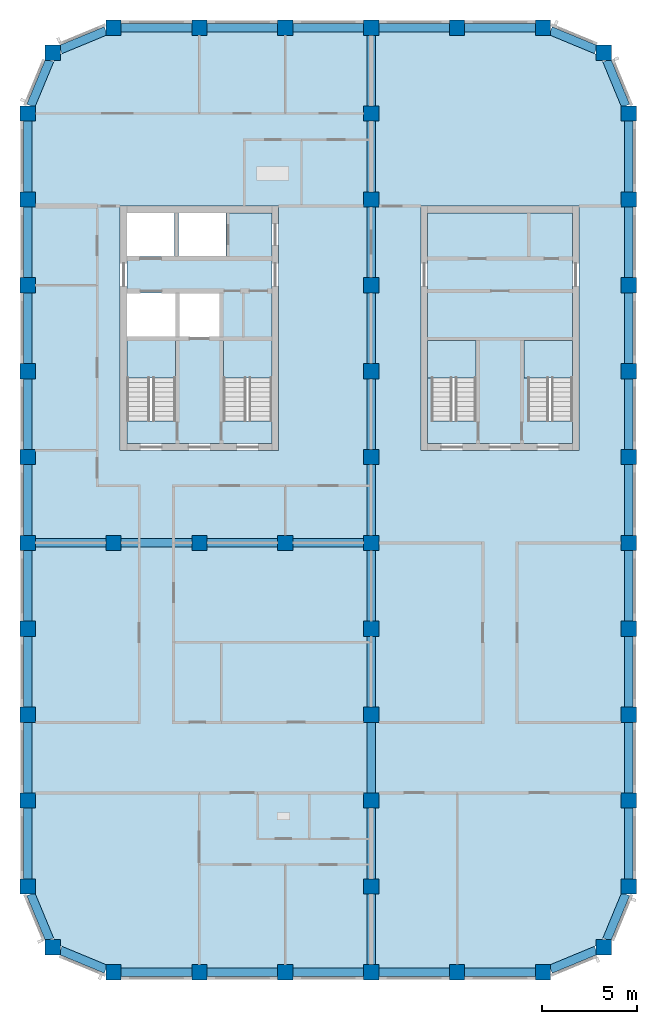
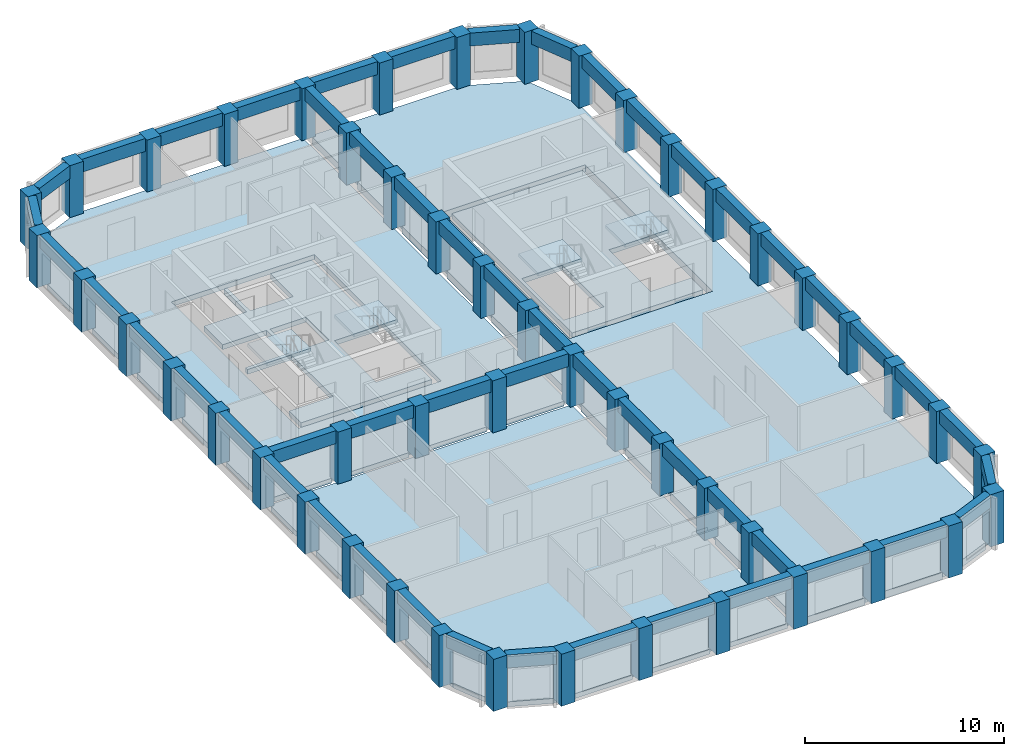
# One storey, part 1 of 9: 51 beams, 49 columns, 9 slabs, 4 elements without a shape of their own.
"""IFC4 building model written with IfcOpenShell, lengths in metres."""

from ifc_helpers import new_model, si_unit, direction, frame, origin, origin_2d, place, context, subcontext, project, spatial, polyline, rectangle, outline, extrude, material, layer, layer_set, material_profile, profile_set, type_object, element, aggregate, save


model = new_model("IFC4")

# Units and contexts
model_context = context("Model", 3, precision=1e-05, world=origin(), true_north=direction((0.0, 1.0)))
body_context = subcontext(model_context, "Body", "Model", "MODEL_VIEW")
ifc_project = project(units=[si_unit("LENGTHUNIT", "METRE"), si_unit("AREAUNIT", "SQUARE_METRE"), si_unit("VOLUMEUNIT", "CUBIC_METRE"), si_unit("PLANEANGLEUNIT", "RADIAN"), si_unit("MASSUNIT", "GRAM", prefix="KILO")], contexts=[model_context])

# Site, building, storey
site_placement = place(None, origin())
site = spatial("IfcSite", under=ifc_project, at=site_placement, CompositionType="ELEMENT")
building_placement = place(site_placement, origin())
building = spatial("IfcBuilding", under=site, at=building_placement, Name="Girih Gate Residences", CompositionType="ELEMENT")
storey_placement = place(building_placement, frame((0.0, 0.0, 185.89990234375)))
storey = spatial("IfcBuildingStorey", under=building, at=storey_placement, Name="L51", CompositionType="ELEMENT", Elevation=185.89990234375)

# Columns
ifc_material_1 = material(Name="Concrete C60/75", Category="concrete")
ifc_material_profile_1 = material_profile(ifc_material_1, rectangle(XDim=0.800048828125, YDim=0.800048828125, at=origin_2d()))
ifc_profile_set_1 = profile_set([ifc_material_profile_1], Name="Concrete C60/75")
column_type = type_object("IfcColumnType", Name="Pier RC 800x800 Concrete C60/75", PredefinedType="COLUMN", material=ifc_profile_set_1)
for number, where, z_axis, x_axis, name in (
    (1, (4.5, 0.0, 0.0), (0.0, 0.0, 1.0), (1.0, 0.0, 0.0), "Pier P2A L51"),
    (2, (9.0, 0.0, 0.0), (0.0, 0.0, 1.0), (1.0, 0.0, 0.0), "Pier P3A L51"),
    (3, (13.5, 0.0, 0.0), (0.0, 0.0, 1.0), (1.0, 0.0, 0.0), "Pier P4A L51"),
    (4, (18.0, 0.0, 0.0), (0.0, 0.0, 1.0), (1.0, 0.0, 0.0), "Pier P5A L51"),
    (5, (22.5, 0.0, 0.0), (0.0, 0.0, 1.0), (1.0, 0.0, 0.0), "Pier P6A L51"),
    (6, (27.0, 0.0, 0.0), (0.0, 0.0, 1.0), (1.0, 0.0, 0.0), "Pier P7A L51"),
    (7, (1.318115234375, 1.318115234375, 0.0), (0.0, 0.0, 1.0), (1.0, 0.0, 0.0), "Pier P1ANE L51"),
    (8, (30.181884765625, 1.318115234375, 0.0), (0.0, 0.0, 1.0), (1.0, 0.0, 0.0), "Pier P8ANW L51"),
    (9, (0.0, 4.5, 0.0), (0.0, 0.0, 1.0), (1.0, 0.0, 0.0), "Pier P1B L51"),
    (10, (18.0, 4.5, 0.0), (0.0, 0.0, 1.0), (1.0, 0.0, 0.0), "Pier P5B L51"),
    (11, (31.5, 4.5, 0.0), (0.0, 0.0, 1.0), (1.0, 0.0, 0.0), "Pier P8B L51"),
    (12, (0.0, 9.0, 0.0), (0.0, 0.0, 1.0), (1.0, 0.0, 0.0), "Pier P1C L51"),
    (13, (18.0, 9.0, 0.0), (0.0, 0.0, 1.0), (1.0, 0.0, 0.0), "Pier P5C L51"),
    (14, (31.5, 9.0, 0.0), (0.0, 0.0, 1.0), (1.0, 0.0, 0.0), "Pier P8C L51"),
    (15, (0.0, 13.5, 0.0), (0.0, 0.0, 1.0), (1.0, 0.0, 0.0), "Pier P1D L51"),
    (16, (18.0, 13.5, 0.0), (0.0, 0.0, 1.0), (1.0, 0.0, 0.0), "Pier P5D L51"),
    (17, (31.5, 13.5, 0.0), (0.0, 0.0, 1.0), (1.0, 0.0, 0.0), "Pier P8D L51"),
    (18, (0.0, 18.0, 0.0), (0.0, 0.0, 1.0), (1.0, 0.0, 0.0), "Pier P1E L51"),
    (19, (18.0, 18.0, 0.0), (0.0, 0.0, 1.0), (1.0, 0.0, 0.0), "Pier P5E L51"),
    (20, (31.5, 18.0, 0.0), (0.0, 0.0, 1.0), (1.0, 0.0, 0.0), "Pier P8E L51"),
    (21, (0.0, 22.5, 0.0), (0.0, 0.0, 1.0), (1.0, 0.0, 0.0), "Pier P1F L51"),
    (22, (4.5, 22.5, 0.0), (0.0, 0.0, 1.0), (1.0, 0.0, 0.0), "Pier P2F L51"),
    (23, (9.0, 22.5, 0.0), (0.0, 0.0, 1.0), (1.0, 0.0, 0.0), "Pier P3F L51"),
    (24, (13.5, 22.5, 0.0), (0.0, 0.0, 1.0), (1.0, 0.0, 0.0), "Pier P4F L51"),
    (25, (18.0, 22.5, 0.0), (0.0, 0.0, 1.0), (1.0, 0.0, 0.0), "Pier P5F L51"),
    (26, (31.5, 22.5, 0.0), (0.0, 0.0, 1.0), (1.0, 0.0, 0.0), "Pier P8F L51"),
    (27, (0.0, 27.0, 0.0), (0.0, 0.0, 1.0), (1.0, 0.0, 0.0), "Pier P1G L51"),
    (28, (18.0, 27.0, 0.0), (0.0, 0.0, 1.0), (1.0, 0.0, 0.0), "Pier P5G L51"),
    (29, (31.5, 27.0, 0.0), (0.0, 0.0, 1.0), (1.0, 0.0, 0.0), "Pier P8G L51"),
    (30, (0.0, 31.5, 0.0), (0.0, 0.0, 1.0), (1.0, 0.0, 0.0), "Pier P1H L51"),
    (31, (18.0, 31.5, 0.0), (0.0, 0.0, 1.0), (1.0, 0.0, 0.0), "Pier P5H L51"),
    (32, (31.5, 31.5, 0.0), (0.0, 0.0, 1.0), (1.0, 0.0, 0.0), "Pier P8H L51"),
    (33, (0.0, 36.0, 0.0), (0.0, 0.0, 1.0), (1.0, 0.0, 0.0), "Pier P1I L51"),
    (34, (18.0, 36.0, 0.0), (0.0, 0.0, 1.0), (1.0, 0.0, 0.0), "Pier P5I L51"),
    (35, (31.5, 36.0, 0.0), (0.0, 0.0, 1.0), (1.0, 0.0, 0.0), "Pier P8I L51"),
    (36, (0.0, 40.5, 0.0), (0.0, 0.0, 1.0), (1.0, 0.0, 0.0), "Pier P1J L51"),
    (37, (18.0, 40.5, 0.0), (0.0, 0.0, 1.0), (1.0, 0.0, 0.0), "Pier P5J L51"),
    (38, (31.5, 40.5, 0.0), (0.0, 0.0, 1.0), (1.0, 0.0, 0.0), "Pier P8J L51"),
    (39, (0.0, 45.0, 0.0), (0.0, 0.0, 1.0), (1.0, 0.0, 0.0), "Pier P1K L51"),
    (40, (18.0, 45.0, 0.0), (0.0, 0.0, 1.0), (1.0, 0.0, 0.0), "Pier P5K L51"),
    (41, (31.5, 45.0, 0.0), (0.0, 0.0, 1.0), (1.0, 0.0, 0.0), "Pier P8K L51"),
    (42, (1.318115234375, 48.181884765625, 0.0), (0.0, 0.0, 1.0), (1.0, 0.0, 0.0), "Pier P1LSE L51"),
    (43, (30.181884765625, 48.181884765625, 0.0), (0.0, 0.0, 1.0), (1.0, 0.0, 0.0), "Pier P8LSW L51"),
    (44, (4.5, 49.5, 0.0), (0.0, 0.0, 1.0), (1.0, 0.0, 0.0), "Pier P2L L51"),
    (45, (9.0, 49.5, 0.0), (0.0, 0.0, 1.0), (1.0, 0.0, 0.0), "Pier P3L L51"),
    (46, (13.5, 49.5, 0.0), (0.0, 0.0, 1.0), (1.0, 0.0, 0.0), "Pier P4L L51"),
    (47, (18.0, 49.5, 0.0), (0.0, 0.0, 1.0), (1.0, 0.0, 0.0), "Pier P5L L51"),
    (48, (22.5, 49.5, 0.0), (0.0, 0.0, 1.0), (1.0, 0.0, 0.0), "Pier P6L L51"),
    (49, (27.0, 49.5, 0.0), (0.0, 0.0, 1.0), (1.0, 0.0, 0.0), "Pier P7L L51"),
):
    element("IfcColumn", number, at=place(storey_placement, frame(where, z_axis=z_axis, x_axis=x_axis)), inside=storey, type_object=column_type, Name=name, PredefinedType="COLUMN", context=body_context, shape_type="SweptSolid", body=[
        extrude(rectangle(XDim=0.800048828125, YDim=0.800048828125, at=origin_2d()), origin(), (0.0, 0.0, 1.0), 3.2001953125),
    ])

# Beams
ifc_material_profile_2 = material_profile(ifc_material_1, rectangle(XDim=0.449951171875, YDim=0.800048828125, at=origin_2d()))
ifc_profile_set_2 = profile_set([ifc_material_profile_2], Name="Concrete C60/75")
beam_type = type_object("IfcBeamType", Name="Spandrel girder RC 450x800 Concrete C60/75", PredefinedType="BEAM", material=ifc_profile_set_2)
for number, where, z_axis, x_axis, name in (
    (50, (27.39990234375, 0.165771484375, 2.800048828125), (0.923895659062, 0.382644497107, 0.0), (-0.382644497107, 0.923895659062, 0.0), "Spandrel girder SP-P7A-P8ANW L51"),
    (51, (30.34765625, 1.718017578125, 2.800048828125), (0.382644497107, 0.923895659062, 0.0), (-0.923895659062, 0.382644497107, 0.0), "Spandrel girder SP-P8ANW-P8B L51"),
):
    element("IfcBeam", number, at=place(storey_placement, frame(where, z_axis=z_axis, x_axis=x_axis)), inside=storey, type_object=beam_type, Name=name, PredefinedType="BEAM", context=body_context, shape_type="SweptSolid", body=[
        extrude(rectangle(XDim=0.449951171875, YDim=0.800048828125, at=origin_2d()), origin(), (0.0, 0.0, 1.0), 2.578369140625),
    ])
for number, where, z_axis, x_axis, name in (
    (52, (31.5, 4.89990234375, 2.800048828125), (0.0, 1.0, 0.0), (-1.0, 0.0, 0.0), "Spandrel girder SP-P8B-P8C L51"),
    (53, (31.5, 9.39990234375, 2.800048828125), (0.0, 1.0, 0.0), (-1.0, 0.0, 0.0), "Spandrel girder SP-P8C-P8D L51"),
    (54, (31.5, 13.89990234375, 2.800048828125), (0.0, 1.0, 0.0), (-1.0, 0.0, 0.0), "Spandrel girder SP-P8D-P8E L51"),
    (55, (31.5, 18.39990234375, 2.800048828125), (0.0, 1.0, 0.0), (-1.0, 0.0, 0.0), "Spandrel girder SP-P8E-P8F L51"),
    (56, (31.5, 22.89990234375, 2.800048828125), (0.0, 1.0, 0.0), (-1.0, 0.0, 0.0), "Spandrel girder SP-P8F-P8G L51"),
    (57, (31.5, 27.39990234375, 2.800048828125), (0.0, 1.0, 0.0), (-1.0, 0.0, 0.0), "Spandrel girder SP-P8G-P8H L51"),
    (58, (31.5, 31.89990234375, 2.800048828125), (0.0, 1.0, 0.0), (-1.0, 0.0, 0.0), "Spandrel girder SP-P8H-P8I L51"),
    (59, (31.5, 36.39990234375, 2.800048828125), (0.0, 1.0, 0.0), (-1.0, 0.0, 0.0), "Spandrel girder SP-P8I-P8J L51"),
    (60, (31.5, 40.89990234375, 2.800048828125), (0.0, 1.0, 0.0), (-1.0, 0.0, 0.0), "Spandrel girder SP-P8J-P8K L51"),
):
    element("IfcBeam", number, at=place(storey_placement, frame(where, z_axis=z_axis, x_axis=x_axis)), inside=storey, type_object=beam_type, Name=name, PredefinedType="BEAM", context=body_context, shape_type="SweptSolid", body=[
        extrude(rectangle(XDim=0.449951171875, YDim=0.800048828125, at=origin_2d()), origin(), (0.0, 0.0, 1.0), 3.7001953125),
    ])
for number, where, z_axis, x_axis, name in (
    (61, (31.334228515625, 45.39990234375, 2.800048828125), (-0.382644497107, 0.923895659062, 0.0), (-0.923895659062, -0.382644497107, 0.0), "Spandrel girder SP-P8K-P8LSW L51"),
    (62, (29.781982421875, 48.34765625, 2.800048828125), (-0.923895659062, 0.382644497107, 0.0), (-0.382644497107, -0.923895659062, 0.0), "Spandrel girder SP-P8LSW-P7L L51"),
):
    element("IfcBeam", number, at=place(storey_placement, frame(where, z_axis=z_axis, x_axis=x_axis)), inside=storey, type_object=beam_type, Name=name, PredefinedType="BEAM", context=body_context, shape_type="SweptSolid", body=[
        extrude(rectangle(XDim=0.449951171875, YDim=0.800048828125, at=origin_2d()), origin(), (0.0, 0.0, 1.0), 2.578369140625),
    ])
for number, where, z_axis, x_axis, name in (
    (63, (26.60009765625, 49.5, 2.800048828125), (-1.0, 0.0, 0.0), (0.0, -1.0, 0.0), "Spandrel girder SP-P7L-P6L L51"),
    (64, (22.10009765625, 49.5, 2.800048828125), (-1.0, 0.0, 0.0), (0.0, -1.0, 0.0), "Spandrel girder SP-P6L-P5L L51"),
    (65, (17.60009765625, 49.5, 2.800048828125), (-1.0, 0.0, 0.0), (0.0, -1.0, 0.0), "Spandrel girder SP-P5L-P4L L51"),
    (66, (13.10009765625, 49.5, 2.800048828125), (-1.0, 0.0, 0.0), (0.0, -1.0, 0.0), "Spandrel girder SP-P4L-P3L L51"),
    (67, (8.60009765625, 49.5, 2.800048828125), (-1.0, 0.0, 0.0), (0.0, -1.0, 0.0), "Spandrel girder SP-P3L-P2L L51"),
):
    element("IfcBeam", number, at=place(storey_placement, frame(where, z_axis=z_axis, x_axis=x_axis)), inside=storey, type_object=beam_type, Name=name, PredefinedType="BEAM", context=body_context, shape_type="SweptSolid", body=[
        extrude(rectangle(XDim=0.449951171875, YDim=0.800048828125, at=origin_2d()), origin(), (0.0, 0.0, 1.0), 3.7001953125),
    ])
for number, where, z_axis, x_axis, name in (
    (68, (4.10009765625, 49.334228515625, 2.800048828125), (-0.923895659062, -0.382644497107, 0.0), (0.382644497107, -0.923895659062, 0.0), "Spandrel girder SP-P2L-P1LSE L51"),
    (69, (1.15234375, 47.781982421875, 2.800048828125), (-0.382644497107, -0.923895659062, 0.0), (0.923895659062, -0.382644497107, 0.0), "Spandrel girder SP-P1LSE-P1K L51"),
):
    element("IfcBeam", number, at=place(storey_placement, frame(where, z_axis=z_axis, x_axis=x_axis)), inside=storey, type_object=beam_type, Name=name, PredefinedType="BEAM", context=body_context, shape_type="SweptSolid", body=[
        extrude(rectangle(XDim=0.449951171875, YDim=0.800048828125, at=origin_2d()), origin(), (0.0, 0.0, 1.0), 2.578369140625),
    ])
for number, where, z_axis, x_axis, name in (
    (70, (0.0, 44.60009765625, 2.800048828125), (0.0, -1.0, 0.0), (1.0, 0.0, 0.0), "Spandrel girder SP-P1K-P1J L51"),
    (71, (0.0, 40.10009765625, 2.800048828125), (0.0, -1.0, 0.0), (1.0, 0.0, 0.0), "Spandrel girder SP-P1J-P1I L51"),
    (72, (0.0, 35.60009765625, 2.800048828125), (0.0, -1.0, 0.0), (1.0, 0.0, 0.0), "Spandrel girder SP-P1I-P1H L51"),
    (73, (0.0, 31.10009765625, 2.800048828125), (0.0, -1.0, 0.0), (1.0, 0.0, 0.0), "Spandrel girder SP-P1H-P1G L51"),
    (74, (0.0, 26.60009765625, 2.800048828125), (0.0, -1.0, 0.0), (1.0, 0.0, 0.0), "Spandrel girder SP-P1G-P1F L51"),
    (75, (0.0, 22.10009765625, 2.800048828125), (0.0, -1.0, 0.0), (1.0, 0.0, 0.0), "Spandrel girder SP-P1F-P1E L51"),
    (76, (0.0, 17.60009765625, 2.800048828125), (0.0, -1.0, 0.0), (1.0, 0.0, 0.0), "Spandrel girder SP-P1E-P1D L51"),
    (77, (0.0, 13.10009765625, 2.800048828125), (0.0, -1.0, 0.0), (1.0, 0.0, 0.0), "Spandrel girder SP-P1D-P1C L51"),
    (78, (0.0, 8.60009765625, 2.800048828125), (0.0, -1.0, 0.0), (1.0, 0.0, 0.0), "Spandrel girder SP-P1C-P1B L51"),
):
    element("IfcBeam", number, at=place(storey_placement, frame(where, z_axis=z_axis, x_axis=x_axis)), inside=storey, type_object=beam_type, Name=name, PredefinedType="BEAM", context=body_context, shape_type="SweptSolid", body=[
        extrude(rectangle(XDim=0.449951171875, YDim=0.800048828125, at=origin_2d()), origin(), (0.0, 0.0, 1.0), 3.7001953125),
    ])
for number, where, z_axis, x_axis, name in (
    (79, (0.165771484375, 4.10009765625, 2.800048828125), (0.382644497107, -0.923895659062, 0.0), (0.923895659062, 0.382644497107, 0.0), "Spandrel girder SP-P1B-P1ANE L51"),
    (80, (1.718017578125, 1.15234375, 2.800048828125), (0.923895659062, -0.382644497107, 0.0), (0.382644497107, 0.923895659062, 0.0), "Spandrel girder SP-P1ANE-P2A L51"),
):
    element("IfcBeam", number, at=place(storey_placement, frame(where, z_axis=z_axis, x_axis=x_axis)), inside=storey, type_object=beam_type, Name=name, PredefinedType="BEAM", context=body_context, shape_type="SweptSolid", body=[
        extrude(rectangle(XDim=0.449951171875, YDim=0.800048828125, at=origin_2d()), origin(), (0.0, 0.0, 1.0), 2.578369140625),
    ])
for number, where, z_axis, x_axis, name in (
    (81, (4.89990234375, 0.0, 2.800048828125), (1.0, 0.0, 0.0), (0.0, 1.0, 0.0), "Spandrel girder SP-P2A-P3A L51"),
    (82, (9.39990234375, 0.0, 2.800048828125), (1.0, 0.0, 0.0), (0.0, 1.0, 0.0), "Spandrel girder SP-P3A-P4A L51"),
    (83, (13.89990234375, 0.0, 2.800048828125), (1.0, 0.0, 0.0), (0.0, 1.0, 0.0), "Spandrel girder SP-P4A-P5A L51"),
    (84, (18.39990234375, 0.0, 2.800048828125), (1.0, 0.0, 0.0), (0.0, 1.0, 0.0), "Spandrel girder SP-P5A-P6A L51"),
    (85, (22.89990234375, 0.0, 2.800048828125), (1.0, 0.0, 0.0), (0.0, 1.0, 0.0), "Spandrel girder SP-P6A-P7A L51"),
    (86, (18.0, 0.39990234375, 2.800048828125), (0.0, 1.0, 0.0), (-1.0, 0.0, 0.0), "Spandrel girder SP-P5A-P5B L51"),
    (87, (18.0, 4.89990234375, 2.800048828125), (0.0, 1.0, 0.0), (-1.0, 0.0, 0.0), "Spandrel girder SP-P5B-P5C L51"),
    (88, (18.0, 9.39990234375, 2.800048828125), (0.0, 1.0, 0.0), (-1.0, 0.0, 0.0), "Spandrel girder SP-P5C-P5D L51"),
    (89, (18.0, 13.89990234375, 2.800048828125), (0.0, 1.0, 0.0), (-1.0, 0.0, 0.0), "Spandrel girder SP-P5D-P5E L51"),
    (90, (18.0, 18.39990234375, 2.800048828125), (0.0, 1.0, 0.0), (-1.0, 0.0, 0.0), "Spandrel girder SP-P5E-P5F L51"),
    (91, (18.0, 22.89990234375, 2.800048828125), (0.0, 1.0, 0.0), (-1.0, 0.0, 0.0), "Spandrel girder SP-P5F-P5G L51"),
    (92, (18.0, 27.39990234375, 2.800048828125), (0.0, 1.0, 0.0), (-1.0, 0.0, 0.0), "Spandrel girder SP-P5G-P5H L51"),
    (93, (18.0, 31.89990234375, 2.800048828125), (0.0, 1.0, 0.0), (-1.0, 0.0, 0.0), "Spandrel girder SP-P5H-P5I L51"),
    (94, (18.0, 36.39990234375, 2.800048828125), (0.0, 1.0, 0.0), (-1.0, 0.0, 0.0), "Spandrel girder SP-P5I-P5J L51"),
    (95, (18.0, 40.89990234375, 2.800048828125), (0.0, 1.0, 0.0), (-1.0, 0.0, 0.0), "Spandrel girder SP-P5J-P5K L51"),
    (96, (18.0, 45.39990234375, 2.800048828125), (0.0, 1.0, 0.0), (-1.0, 0.0, 0.0), "Spandrel girder SP-P5K-P5L L51"),
    (97, (0.39990234375, 22.5, 2.800048828125), (1.0, 0.0, 0.0), (0.0, 1.0, 0.0), "Spandrel girder SP-P1F-P2F L51"),
    (98, (4.89990234375, 22.5, 2.800048828125), (1.0, 0.0, 0.0), (0.0, 1.0, 0.0), "Spandrel girder SP-P2F-P3F L51"),
    (99, (9.39990234375, 22.5, 2.800048828125), (1.0, 0.0, 0.0), (0.0, 1.0, 0.0), "Spandrel girder SP-P3F-P4F L51"),
    (100, (13.89990234375, 22.5, 2.800048828125), (1.0, 0.0, 0.0), (0.0, 1.0, 0.0), "Spandrel girder SP-P4F-P5F L51"),
):
    element("IfcBeam", number, at=place(storey_placement, frame(where, z_axis=z_axis, x_axis=x_axis)), inside=storey, type_object=beam_type, Name=name, PredefinedType="BEAM", context=body_context, shape_type="SweptSolid", body=[
        extrude(rectangle(XDim=0.449951171875, YDim=0.800048828125, at=origin_2d()), origin(), (0.0, 0.0, 1.0), 3.7001953125),
    ])

# Slabs
ifc_material_2 = material(Name="Concrete C40/50", Category="concrete")
ifc_layer_1 = layer(ifc_material_2, 0.300048828125)
ifc_layer_set_1 = layer_set([ifc_layer_1], Name="Core floor slab 300")
slab_type_1 = type_object("IfcSlabType", Name="Core floor slab 300", PredefinedType="FLOOR", material=ifc_layer_set_1)
slab_1_placement = place(storey_placement, frame((0.0, 0.0, -0.2998046875)))
element("IfcSlab", 101, at=slab_1_placement, inside=storey, type_object=slab_type_1, Name="L51 W core floor", PredefinedType="FLOOR", context=body_context, shape_type="SweptSolid", body=[
    extrude(outline(polyline([(12.800048828125, 27.699951171875), (5.199951171875, 27.699951171875), (5.199951171875, 28.900634765625), (7.75, 28.900634765625), (7.75, 33.10009765625), (5.199951171875, 33.10009765625), (5.199951171875, 33.300048828125), (7.75, 33.300048828125), (7.75, 35.60009765625), (5.199951171875, 35.60009765625), (5.199951171875, 37.5), (7.699951171875, 37.5), (7.699951171875, 39.800048828125), (7.89990234375, 39.800048828125), (7.89990234375, 37.5), (10.39990234375, 37.5), (10.39990234375, 39.800048828125), (12.800048828125, 39.800048828125), (12.800048828125, 33.10009765625), (10.25, 33.10009765625), (10.25, 28.900634765625), (12.800048828125, 28.900634765625), (12.800048828125, 27.699951171875)]), holes=[polyline([(7.949951171875, 33.300048828125), (10.050048828125, 33.300048828125), (10.050048828125, 35.60009765625), (7.949951171875, 35.60009765625), (7.949951171875, 33.300048828125)])]), origin(), (0.0, 0.0, 1.0), 0.2998046875),
])
slab_2_placement = place(storey_placement, frame((0.0, 0.0, -0.2998046875)))
element("IfcSlab", 102, at=slab_2_placement, inside=storey, type_object=slab_type_1, Name="L51 C core floor", PredefinedType="FLOOR", context=body_context, shape_type="SweptSolid", body=[
    extrude(outline(polyline([(28.550048828125, 27.699951171875), (20.949951171875, 27.699951171875), (20.949951171875, 39.800048828125), (28.550048828125, 39.800048828125), (28.550048828125, 33.10009765625), (26.199951171875, 33.10009765625), (26.199951171875, 28.900634765625), (28.550048828125, 28.900634765625), (28.550048828125, 27.699951171875)]), holes=[polyline([(23.5, 28.900634765625), (23.5, 33.10009765625), (21.14990234375, 33.10009765625), (21.14990234375, 28.900634765625), (23.5, 28.900634765625)])]), origin(), (0.0, 0.0, 1.0), 0.2998046875),
])
ifc_layer_2 = layer(ifc_material_2, 0.300048828125)
ifc_layer_set_2 = layer_set([ifc_layer_2], Name="Floor slab PT 300 Concrete C40/50")
slab_type_2 = type_object("IfcSlabType", Name="Floor slab PT 300 Concrete C40/50", PredefinedType="FLOOR", material=ifc_layer_set_2)
slab_3_placement = place(storey_placement, frame((0.0, 0.0, -0.2998046875)))
element("IfcSlab", 103, at=slab_3_placement, inside=storey, type_object=slab_type_2, Name="Floor slab L51 0", PredefinedType="FLOOR", context=body_context, shape_type="SweptSolid", body=[
    extrude(outline(polyline([(13.89990234375, 0.22509765625), (17.60009765625, 0.22509765625), (17.60009765625, 0.39990234375), (17.77490234375, 0.39990234375), (17.77490234375, 4.10009765625), (17.60009765625, 4.10009765625), (17.60009765625, 4.89990234375), (17.77490234375, 4.89990234375), (17.77490234375, 8.60009765625), (17.60009765625, 8.60009765625), (17.60009765625, 9.39990234375), (17.77490234375, 9.39990234375), (17.77490234375, 13.10009765625), (17.60009765625, 13.10009765625), (17.60009765625, 13.89990234375), (17.77490234375, 13.89990234375), (17.77490234375, 17.60009765625), (17.60009765625, 17.60009765625), (17.60009765625, 18.39990234375), (17.77490234375, 18.39990234375), (17.77490234375, 22.10009765625), (17.60009765625, 22.10009765625), (17.60009765625, 22.27490234375), (13.89990234375, 22.27490234375), (13.89990234375, 22.10009765625), (13.10009765625, 22.10009765625), (13.10009765625, 22.27490234375), (9.39990234375, 22.27490234375), (9.39990234375, 22.10009765625), (8.60009765625, 22.10009765625), (8.60009765625, 22.27490234375), (4.89990234375, 22.27490234375), (4.89990234375, 22.10009765625), (4.10009765625, 22.10009765625), (4.10009765625, 22.27490234375), (0.39990234375, 22.27490234375), (0.39990234375, 22.10009765625), (0.22509765625, 22.10009765625), (0.22509765625, 18.39990234375), (0.39990234375, 18.39990234375), (0.39990234375, 17.60009765625), (0.22509765625, 17.60009765625), (0.22509765625, 13.89990234375), (0.39990234375, 13.89990234375), (0.39990234375, 13.10009765625), (0.22509765625, 13.10009765625), (0.22509765625, 9.39990234375), (0.39990234375, 9.39990234375), (0.39990234375, 8.60009765625), (0.22509765625, 8.60009765625), (0.22509765625, 4.89990234375), (0.39990234375, 4.89990234375), (0.39990234375, 4.122314453125), (1.395751953125, 1.718017578125), (1.718017578125, 1.718017578125), (1.718017578125, 1.395751953125), (4.122314453125, 0.39990234375), (4.89990234375, 0.39990234375), (4.89990234375, 0.22509765625), (8.60009765625, 0.22509765625), (8.60009765625, 0.39990234375), (9.39990234375, 0.39990234375), (9.39990234375, 0.22509765625), (13.10009765625, 0.22509765625), (13.10009765625, 0.39990234375), (13.89990234375, 0.39990234375), (13.89990234375, 0.22509765625)])), origin(), (0.0, 0.0, 1.0), 0.2998046875),
])
slab_4_placement = place(storey_placement, frame((0.0, 0.0, -0.2998046875)))
element("IfcSlab", 104, at=slab_4_placement, inside=storey, type_object=slab_type_2, Name="Floor slab L51 2", PredefinedType="FLOOR", context=body_context, shape_type="SweptSolid", body=[
    extrude(outline(polyline([(0.22509765625, 26.60009765625), (0.22509765625, 22.89990234375), (0.39990234375, 22.89990234375), (0.39990234375, 22.72509765625), (4.10009765625, 22.72509765625), (4.10009765625, 22.89990234375), (4.89990234375, 22.89990234375), (4.89990234375, 22.72509765625), (8.60009765625, 22.72509765625), (8.60009765625, 22.89990234375), (9.39990234375, 22.89990234375), (9.39990234375, 22.72509765625), (13.10009765625, 22.72509765625), (13.10009765625, 22.89990234375), (13.89990234375, 22.89990234375), (13.89990234375, 22.72509765625), (17.60009765625, 22.72509765625), (17.60009765625, 22.89990234375), (17.77490234375, 22.89990234375), (17.77490234375, 26.60009765625), (17.60009765625, 26.60009765625), (17.60009765625, 27.39990234375), (17.77490234375, 27.39990234375), (17.77490234375, 31.10009765625), (17.60009765625, 31.10009765625), (17.60009765625, 31.89990234375), (17.77490234375, 31.89990234375), (17.77490234375, 35.60009765625), (17.60009765625, 35.60009765625), (17.60009765625, 36.39990234375), (17.77490234375, 36.39990234375), (17.77490234375, 40.10009765625), (17.60009765625, 40.10009765625), (17.60009765625, 40.89990234375), (17.77490234375, 40.89990234375), (17.77490234375, 44.60009765625), (17.60009765625, 44.60009765625), (17.60009765625, 45.39990234375), (17.77490234375, 45.39990234375), (17.77490234375, 49.10009765625), (17.60009765625, 49.10009765625), (17.60009765625, 49.27490234375), (13.89990234375, 49.27490234375), (13.89990234375, 49.10009765625), (13.10009765625, 49.10009765625), (13.10009765625, 49.27490234375), (9.39990234375, 49.27490234375), (9.39990234375, 49.10009765625), (8.60009765625, 49.10009765625), (8.60009765625, 49.27490234375), (4.89990234375, 49.27490234375), (4.89990234375, 49.10009765625), (4.122314453125, 49.10009765625), (1.718017578125, 48.104248046875), (1.718017578125, 47.781982421875), (1.395751953125, 47.781982421875), (0.39990234375, 45.377685546875), (0.39990234375, 44.60009765625), (0.22509765625, 44.60009765625), (0.22509765625, 40.89990234375), (0.39990234375, 40.89990234375), (0.39990234375, 40.10009765625), (0.22509765625, 40.10009765625), (0.22509765625, 36.39990234375), (0.39990234375, 36.39990234375), (0.39990234375, 35.60009765625), (0.22509765625, 35.60009765625), (0.22509765625, 31.89990234375), (0.39990234375, 31.89990234375), (0.39990234375, 31.10009765625), (0.22509765625, 31.10009765625), (0.22509765625, 27.39990234375), (0.39990234375, 27.39990234375), (0.39990234375, 26.60009765625), (0.22509765625, 26.60009765625)]), holes=[polyline([(13.14990234375, 40.14990234375), (13.14990234375, 27.35009765625), (4.85009765625, 27.35009765625), (4.85009765625, 40.14990234375), (13.14990234375, 40.14990234375)])]), origin(), (0.0, 0.0, 1.0), 0.2998046875),
])
ifc_layer_3 = layer(ifc_material_2, 0.449951171875)
ifc_layer_set_3 = layer_set([ifc_layer_3], Name="Floor slab PT 450 Concrete C40/50")
slab_type_3 = type_object("IfcSlabType", Name="Floor slab PT 450 Concrete C40/50", PredefinedType="FLOOR", material=ifc_layer_set_3)
slab_5_placement = place(storey_placement, frame((0.0, 0.0, -0.449951171875)))
element("IfcSlab", 105, at=slab_5_placement, inside=storey, type_object=slab_type_3, Name="Floor slab L51 1", PredefinedType="FLOOR", context=body_context, shape_type="SweptSolid", body=[
    extrude(outline(polyline([(22.89990234375, 0.22509765625), (26.60009765625, 0.22509765625), (26.60009765625, 0.39990234375), (27.377685546875, 0.39990234375), (29.781982421875, 1.395751953125), (29.781982421875, 1.718017578125), (30.104248046875, 1.718017578125), (31.10009765625, 4.122314453125), (31.10009765625, 4.89990234375), (31.27490234375, 4.89990234375), (31.27490234375, 8.60009765625), (31.10009765625, 8.60009765625), (31.10009765625, 9.39990234375), (31.27490234375, 9.39990234375), (31.27490234375, 13.10009765625), (31.10009765625, 13.10009765625), (31.10009765625, 13.89990234375), (31.27490234375, 13.89990234375), (31.27490234375, 17.60009765625), (31.10009765625, 17.60009765625), (31.10009765625, 18.39990234375), (31.27490234375, 18.39990234375), (31.27490234375, 22.10009765625), (31.10009765625, 22.10009765625), (31.10009765625, 22.89990234375), (31.27490234375, 22.89990234375), (31.27490234375, 26.60009765625), (31.10009765625, 26.60009765625), (31.10009765625, 27.39990234375), (31.27490234375, 27.39990234375), (31.27490234375, 31.10009765625), (31.10009765625, 31.10009765625), (31.10009765625, 31.89990234375), (31.27490234375, 31.89990234375), (31.27490234375, 35.60009765625), (31.10009765625, 35.60009765625), (31.10009765625, 36.39990234375), (31.27490234375, 36.39990234375), (31.27490234375, 40.10009765625), (31.10009765625, 40.10009765625), (31.10009765625, 40.89990234375), (31.27490234375, 40.89990234375), (31.27490234375, 44.60009765625), (31.10009765625, 44.60009765625), (31.10009765625, 45.377685546875), (30.104248046875, 47.781982421875), (29.781982421875, 47.781982421875), (29.781982421875, 48.104248046875), (27.377685546875, 49.10009765625), (26.60009765625, 49.10009765625), (26.60009765625, 49.27490234375), (22.89990234375, 49.27490234375), (22.89990234375, 49.10009765625), (22.10009765625, 49.10009765625), (22.10009765625, 49.27490234375), (18.39990234375, 49.27490234375), (18.39990234375, 49.10009765625), (18.22509765625, 49.10009765625), (18.22509765625, 45.39990234375), (18.39990234375, 45.39990234375), (18.39990234375, 44.60009765625), (18.22509765625, 44.60009765625), (18.22509765625, 40.89990234375), (18.39990234375, 40.89990234375), (18.39990234375, 40.10009765625), (18.22509765625, 40.10009765625), (18.22509765625, 36.39990234375), (18.39990234375, 36.39990234375), (18.39990234375, 35.60009765625), (18.22509765625, 35.60009765625), (18.22509765625, 31.89990234375), (18.39990234375, 31.89990234375), (18.39990234375, 31.10009765625), (18.22509765625, 31.10009765625), (18.22509765625, 27.39990234375), (18.39990234375, 27.39990234375), (18.39990234375, 26.60009765625), (18.22509765625, 26.60009765625), (18.22509765625, 22.89990234375), (18.39990234375, 22.89990234375), (18.39990234375, 22.10009765625), (18.22509765625, 22.10009765625), (18.22509765625, 18.39990234375), (18.39990234375, 18.39990234375), (18.39990234375, 17.60009765625), (18.22509765625, 17.60009765625), (18.22509765625, 13.89990234375), (18.39990234375, 13.89990234375), (18.39990234375, 13.10009765625), (18.22509765625, 13.10009765625), (18.22509765625, 9.39990234375), (18.39990234375, 9.39990234375), (18.39990234375, 8.60009765625), (18.22509765625, 8.60009765625), (18.22509765625, 4.89990234375), (18.39990234375, 4.89990234375), (18.39990234375, 4.10009765625), (18.22509765625, 4.10009765625), (18.22509765625, 0.39990234375), (18.39990234375, 0.39990234375), (18.39990234375, 0.22509765625), (22.10009765625, 0.22509765625), (22.10009765625, 0.39990234375), (22.89990234375, 0.39990234375), (22.89990234375, 0.22509765625)]), holes=[polyline([(28.89990234375, 40.14990234375), (28.89990234375, 27.35009765625), (20.60009765625, 27.35009765625), (20.60009765625, 40.14990234375), (28.89990234375, 40.14990234375)])]), origin(), (0.0, 0.0, 1.0), 0.449951171875),
])

# Stair, slab
stair_type_1 = type_object("IfcStairType", Name="Exit stair", PredefinedType="HALF_TURN_STAIR", material=ifc_material_2)
stair_1_placement = place(storey_placement, origin())
stair_1 = element("IfcStair", 106, at=stair_1_placement, inside=storey, type_object=stair_type_1, Name="L51 Exit Stair ST-W1", PredefinedType="HALF_TURN_STAIR")
ifc_layer_4 = layer(ifc_material_2, 0.199951171875)
ifc_layer_set_4 = layer_set([ifc_layer_4], Name="Stair landing 200")
slab_type_4 = type_object("IfcSlabType", Name="Stair landing 200", PredefinedType="LANDING", material=ifc_layer_set_4)
slab_6_placement = place(storey_placement, frame((0.0, 0.0, 1.400146484375)))
slab_6 = element("IfcSlab", 107, at=slab_6_placement, type_object=slab_type_4, Name="ST-W1 landing 1", PredefinedType="LANDING", context=body_context, shape_type="SweptSolid", body=[
    extrude(outline(polyline([(7.75, 31.14990234375), (7.75, 33.10009765625), (5.199951171875, 33.10009765625), (5.199951171875, 31.14990234375), (7.75, 31.14990234375)])), origin(), (0.0, 0.0, 1.0), 0.199951171875),
])
aggregate(stair_1, [slab_6])

stair_2_placement = place(storey_placement, origin())
stair_2 = element("IfcStair", 108, at=stair_2_placement, inside=storey, type_object=stair_type_1, Name="L51 Exit Stair ST-W2", PredefinedType="HALF_TURN_STAIR")
slab_7_placement = place(storey_placement, frame((0.0, 0.0, 1.400146484375)))
slab_7 = element("IfcSlab", 109, at=slab_7_placement, type_object=slab_type_4, Name="ST-W2 landing 1", PredefinedType="LANDING", context=body_context, shape_type="SweptSolid", body=[
    extrude(outline(polyline([(12.800048828125, 31.14990234375), (12.800048828125, 33.10009765625), (10.25, 33.10009765625), (10.25, 31.14990234375), (12.800048828125, 31.14990234375)])), origin(), (0.0, 0.0, 1.0), 0.199951171875),
])
aggregate(stair_2, [slab_7])

stair_type_2 = type_object("IfcStairType", Name="Exit stair C core", PredefinedType="HALF_TURN_STAIR", material=ifc_material_2)
stair_3_placement = place(storey_placement, origin())
stair_3 = element("IfcStair", 110, at=stair_3_placement, inside=storey, type_object=stair_type_2, Name="L51 Exit Stair ST-C1", PredefinedType="HALF_TURN_STAIR")
slab_8_placement = place(storey_placement, frame((0.0, 0.0, 1.400146484375)))
slab_8 = element("IfcSlab", 111, at=slab_8_placement, type_object=slab_type_4, Name="ST-C1 landing 1", PredefinedType="LANDING", context=body_context, shape_type="SweptSolid", body=[
    extrude(outline(polyline([(23.5, 31.14990234375), (23.5, 33.10009765625), (20.949951171875, 33.10009765625), (20.949951171875, 31.14990234375), (23.5, 31.14990234375)])), origin(), (0.0, 0.0, 1.0), 0.199951171875),
])
aggregate(stair_3, [slab_8])

stair_4_placement = place(storey_placement, origin())
stair_4 = element("IfcStair", 112, at=stair_4_placement, inside=storey, type_object=stair_type_2, Name="L51 Exit Stair ST-C2", PredefinedType="HALF_TURN_STAIR")
slab_9_placement = place(storey_placement, frame((0.0, 0.0, 1.400146484375)))
slab_9 = element("IfcSlab", 113, at=slab_9_placement, type_object=slab_type_4, Name="ST-C2 landing 1", PredefinedType="LANDING", context=body_context, shape_type="SweptSolid", body=[
    extrude(outline(polyline([(28.550048828125, 31.14990234375), (28.550048828125, 33.10009765625), (26.0, 33.10009765625), (26.0, 31.14990234375), (28.550048828125, 31.14990234375)])), origin(), (0.0, 0.0, 1.0), 0.199951171875),
])
aggregate(stair_4, [slab_9])

save(model, "model.ifc")
